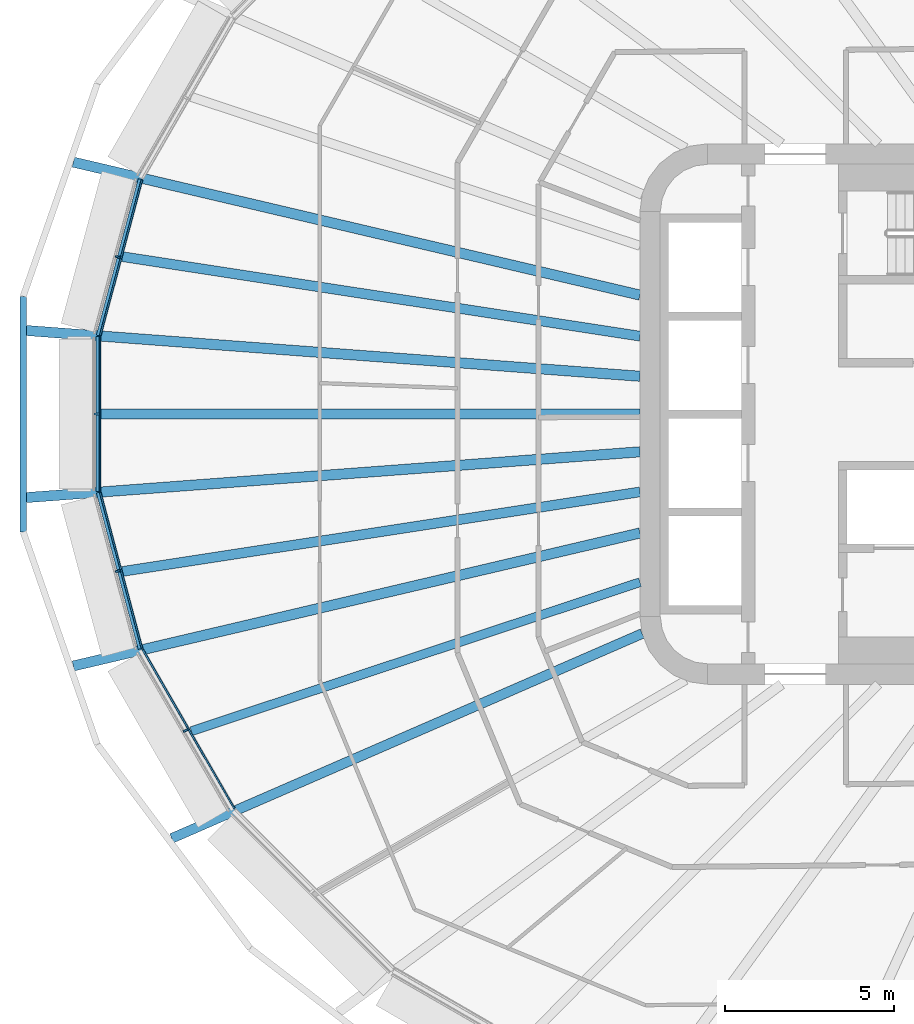
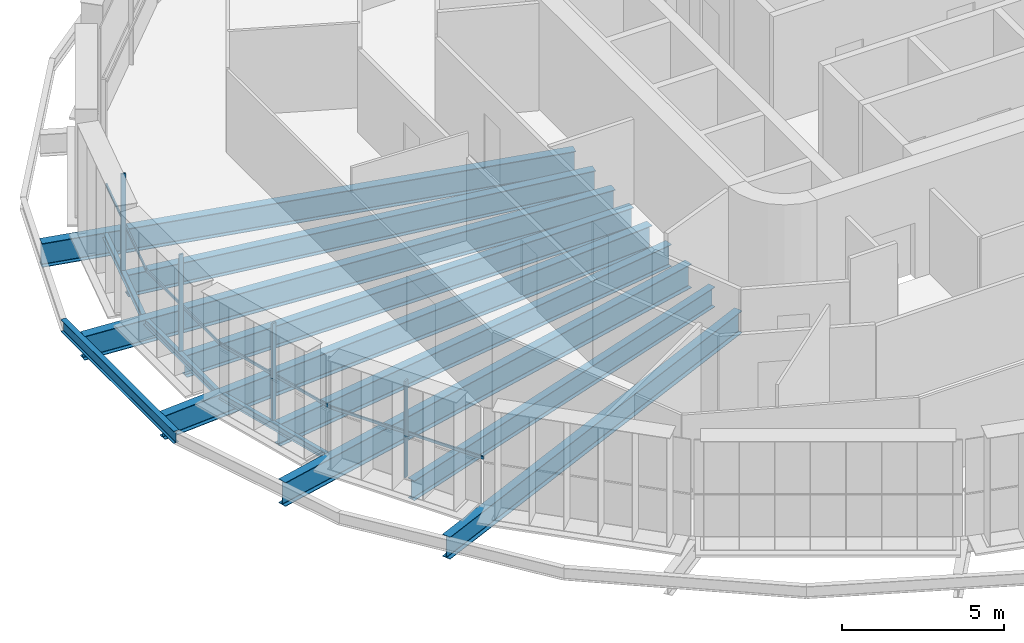
# One storey, part 3 of 24: 13 beams, 8 members, 4 elements without a shape of their own.
"""IFC4 building model written with IfcOpenShell, lengths in metres."""

import ifcopenshell
import ifcopenshell.guid

model = None  # the IFC model being written
_history = None  # IfcOwnerHistory: only IFC2X3 demands one
_inside = {}  # id of a spatial element -> (the spatial element, [elements in it])
_under = {}  # id of a project, library or spatial element -> (it, [spatial elements below it])
_declared = {}  # id of a project -> (the project, [libraries it declares])
_typed = {}  # id of a type object -> (the type object, [elements of that type])
_made_of = {}  # id of a material, layer set ... -> (it, [elements and type objects made of it])


def new_model(schema):
    """Start an empty IFC model of exactly this schema.

    Asked for "IFC4X3", IfcOpenShell would pick the latest addendum, in which some entities
    have other attributes; the version numbers below select the first issue.
    IFC2X3 requires an IfcOwnerHistory on every rooted entity: one is made here for all.
    """
    global model, _history
    if schema == "IFC4X3":
        model = ifcopenshell.file(schema_version=(4, 3, 0, 0))
    else:
        model = ifcopenshell.file(schema=schema)
    _inside.clear()
    _under.clear()
    _declared.clear()
    _typed.clear()
    _made_of.clear()
    _history = None
    if model.schema == "IFC2X3":
        org = make("IfcOrganization", Name="unknown")
        user = make(
            "IfcPersonAndOrganization",
            ThePerson=make("IfcPerson", FamilyName="unknown"),
            TheOrganization=org,
        )
        app = make(
            "IfcApplication",
            ApplicationDeveloper=org,
            Version="unknown",
            ApplicationFullName="unknown",
            ApplicationIdentifier="unknown",
        )
        _history = make(
            "IfcOwnerHistory",
            OwningUser=user,
            OwningApplication=app,
            ChangeAction="ADDED",
            CreationDate=0,
        )
    return model


def make(cls, **values):
    """One entity of the class cls with the attributes given. An attribute that is None is left unset."""
    return model.create_entity(
        cls, **{name: value for name, value in values.items() if value is not None}
    )


def rooted(cls, **values):
    """An entity with a GlobalId (a new one), such as an element, a storey or a relation."""
    return make(cls, GlobalId=ifcopenshell.guid.new(), OwnerHistory=_history, **values)


def si_unit(unit_type, name, prefix=None):
    """IfcSIUnit, for example si_unit("LENGTHUNIT", "METRE", prefix="MILLI")."""
    return make("IfcSIUnit", UnitType=unit_type, Prefix=prefix, Name=name)


def assignment(units):
    """IfcUnitAssignment: the units of a project."""
    return None if units is None else make("IfcUnitAssignment", Units=units)


def point(xyz):
    """IfcCartesianPoint."""
    return None if xyz is None else make("IfcCartesianPoint", Coordinates=xyz)


def direction(xyz):
    """IfcDirection."""
    return None if xyz is None else make("IfcDirection", DirectionRatios=xyz)


def frame(location, z_axis=None, x_axis=None):
    """IfcAxis2Placement3D, a coordinate frame: its origin and axes. An axis left out is left unset."""
    return make(
        "IfcAxis2Placement3D",
        Location=point(location),
        Axis=direction(z_axis),
        RefDirection=direction(x_axis),
    )


def frame_2d(location, x_axis=None):
    """IfcAxis2Placement2D, a coordinate frame in the plane: its origin and x axis."""
    return make(
        "IfcAxis2Placement2D", Location=point(location), RefDirection=direction(x_axis)
    )


def origin():
    """The frame at (0, 0, 0) with its axes left unset."""
    return frame((0.0, 0.0, 0.0))


def origin_2d():
    """The frame at (0, 0) in the plane with its x axis left unset."""
    return frame_2d((0.0, 0.0))


def place(relative_to, where):
    """IfcLocalPlacement: puts the frame where relative to a parent placement (None: the world)."""
    return make(
        "IfcLocalPlacement", PlacementRelTo=relative_to, RelativePlacement=where
    )


def context(
    kind, dimensions, precision=None, world=None, true_north=None, identifier=None
):
    """IfcGeometricRepresentationContext, for example the 3D "Model" context."""
    return make(
        "IfcGeometricRepresentationContext",
        ContextIdentifier=identifier,
        ContextType=kind,
        CoordinateSpaceDimension=dimensions,
        Precision=precision,
        WorldCoordinateSystem=world,
        TrueNorth=true_north,
    )


def subcontext(parent, identifier, kind, view, scale=None):
    """IfcGeometricRepresentationSubContext, for example "Body" below "Model"."""
    return make(
        "IfcGeometricRepresentationSubContext",
        ContextIdentifier=identifier,
        ContextType=kind,
        ParentContext=parent,
        TargetScale=scale,
        TargetView=view,
    )


def project(units=None, contexts=None):
    """IfcProject with its units and contexts."""
    return rooted(
        "IfcProject",
        Name="project",
        RepresentationContexts=contexts,
        UnitsInContext=assignment(units),
    )


def spatial(cls, under=None, at=None, **own):
    """A site, building, storey or space (cls), placed at a placement, below another one or the project."""
    s = rooted(cls, ObjectPlacement=at, **own)
    if under is not None:
        _under.setdefault(under.id(), (under, []))[1].append(s)
    return s


def profile(cls, at=None, kind="AREA", **sizes):
    """A parametric profile (cls). Its sizes go by their IFC names, for example OverallWidth=200.0."""
    return make(cls, ProfileType=kind, Position=at, **sizes)


def rectangle(**sizes):
    """IfcRectangleProfileDef."""
    return profile("IfcRectangleProfileDef", **sizes)


def i_section(**sizes):
    """IfcIShapeProfileDef."""
    return profile("IfcIShapeProfileDef", **sizes)


def extrude(swept, where, along, depth):
    """IfcExtrudedAreaSolid: the profile swept, set in the frame where, extruded along a direction by depth."""
    return make(
        "IfcExtrudedAreaSolid",
        SweptArea=swept,
        Position=where,
        ExtrudedDirection=direction(along),
        Depth=depth,
    )


def shape(context_of_items, identifier, shape_type, items):
    """IfcShapeRepresentation: the items that make up one representation, for example the "Body"."""
    return make(
        "IfcShapeRepresentation",
        ContextOfItems=context_of_items,
        RepresentationIdentifier=identifier,
        RepresentationType=shape_type,
        Items=items,
    )


def material(Name=None, Category=None):
    """IfcMaterial."""
    return make("IfcMaterial", Name=Name, Category=Category)


def layer(
    of_material, thickness, ventilated=None, Name=None, Category=None, Priority=None
):
    """IfcMaterialLayer: one layer of a wall or slab, of a material (None: an air gap)."""
    return make(
        "IfcMaterialLayer",
        Material=of_material,
        LayerThickness=thickness,
        IsVentilated=ventilated,
        Name=Name,
        Category=Category,
        Priority=Priority,
    )


def layer_set(layers, Name=None):
    """IfcMaterialLayerSet."""
    return make("IfcMaterialLayerSet", MaterialLayers=layers, LayerSetName=Name)


def material_profile(
    of_material, cross_section, Name=None, Category=None, Priority=None
):
    """IfcMaterialProfile: a cross section and its material."""
    return make(
        "IfcMaterialProfile",
        Name=Name,
        Material=of_material,
        Profile=cross_section,
        Priority=Priority,
        Category=Category,
    )


def profile_set(profiles, Name=None, composite=None):
    """IfcMaterialProfileSet."""
    return make(
        "IfcMaterialProfileSet",
        Name=Name,
        MaterialProfiles=profiles,
        CompositeProfile=composite,
    )


def made_of(thing, what):
    """Note that an element or type object is made of a material, layer set ...; save() writes the relation."""
    if what is not None:
        _made_of.setdefault(what.id(), (what, []))[1].append(thing)
    return thing


def type_object(cls, material=None, **own):
    """A type object (cls), such as IfcWallType, which elements share."""
    return made_of(rooted(cls, **own), material)


def element(
    cls,
    number,
    at=None,
    inside=None,
    cuts=None,
    type_object=None,
    material=None,
    context=None,
    identifier="Body",
    shape_type=None,
    held_by="IfcProductDefinitionShape",
    body=None,
    shapes=None,
    **own,
):
    """One element of the class cls, such as IfcWall. Its Tag is "e" and its number.

    at: its placement. inside: the storey or other place that contains it. cuts: it is an
    opening in that element (IfcRelVoidsElement). A single representation is given by context,
    identifier, shape_type and body (its items); several are given by shapes. held_by: the class
    of the entity that holds the representations. save() writes the other relations.
    """
    e = rooted(cls, Tag="e%d" % number, ObjectPlacement=at, **own)
    if body is not None:
        shapes = [shape(context, identifier, shape_type, body)]
    if shapes is not None:
        e.Representation = make(held_by, Representations=shapes)
    if inside is not None:
        _inside.setdefault(inside.id(), (inside, []))[1].append(e)
    if cuts is not None:
        rooted(
            "IfcRelVoidsElement", RelatingBuildingElement=cuts, RelatedOpeningElement=e
        )
    if type_object is not None:
        _typed.setdefault(type_object.id(), (type_object, []))[1].append(e)
    return made_of(e, material)


def aggregate(whole, parts):
    """IfcRelAggregates: a whole, such as a stair, and the parts it consists of."""
    return rooted("IfcRelAggregates", RelatingObject=whole, RelatedObjects=parts)


def save(model, path):
    """Write the relations noted so far, then the file.

    IfcRelAggregates (storeys below a building ...), IfcRelContainedInSpatialStructure (elements
    in a storey), IfcRelDefinesByType, IfcRelAssociatesMaterial and IfcRelDeclares: one each for
    every whole, place, type object, material and project.
    """
    for whole, parts in _under.values():
        aggregate(whole, parts)
    for where, things in _inside.values():
        rooted(
            "IfcRelContainedInSpatialStructure",
            RelatedElements=things,
            RelatingStructure=where,
        )
    for kind, things in _typed.values():
        rooted("IfcRelDefinesByType", RelatedObjects=things, RelatingType=kind)
    for what, things in _made_of.values():
        rooted("IfcRelAssociatesMaterial", RelatedObjects=things, RelatingMaterial=what)
    for by, libraries in _declared.values():
        rooted("IfcRelDeclares", RelatingContext=by, RelatedDefinitions=libraries)
    model.write(path)


model = new_model("IFC4")

# Units and contexts
model_context = context("Model", 3, precision=1e-05, world=origin(), true_north=direction((0.0, 1.0)))
body_context = subcontext(model_context, "Body", "Model", "MODEL_VIEW")
ifc_project = project(units=[si_unit("LENGTHUNIT", "METRE"), si_unit("AREAUNIT", "SQUARE_METRE"), si_unit("VOLUMEUNIT", "CUBIC_METRE"), si_unit("PLANEANGLEUNIT", "RADIAN"), si_unit("MASSUNIT", "GRAM", prefix="KILO")], contexts=[model_context])

# Site, building, storey
site_placement = place(None, origin())
site = spatial("IfcSite", under=ifc_project, at=site_placement, CompositionType="ELEMENT")
building_placement = place(site_placement, origin())
building = spatial("IfcBuilding", under=site, at=building_placement, Name="Sahrelin Media Tower", CompositionType="ELEMENT")
storey_placement = place(building_placement, frame((0.0, 0.0, 71.39990234375)))
storey = spatial("IfcBuildingStorey", under=building, at=storey_placement, Name="L12", CompositionType="ELEMENT", Elevation=71.39990234375)

# Beams
ifc_material_1 = material(Name="Steel S355", Category="steel")
ifc_material_profile_1 = material_profile(ifc_material_1, i_section(OverallWidth=0.14599609375, OverallDepth=0.25146484375, WebThickness=0.006103515625, FlangeThickness=0.008544921875, FilletRadius=0.007568359375, at=origin_2d()), Name="UB 254x146x31")
ifc_profile_set_1 = profile_set([ifc_material_profile_1], Name="Steel S355")
beam_type_1 = type_object("IfcBeamType", Name="Edge beam EB1", PredefinedType="BEAM", material=ifc_profile_set_1)
beam_1_placement = place(storey_placement, frame((-29.781982421875, -6.9501953125, -0.275634765625), z_axis=(-0.258831956823, 0.965922366511, 0.0), x_axis=(-0.965922366511, -0.258831956823, 0.0)))
element("IfcBeam", 1, at=beam_1_placement, inside=storey, type_object=beam_type_1, Name="Edge beam L12-11", PredefinedType="BEAM", context=body_context, shape_type="SweptSolid", body=[
    extrude(i_section(OverallWidth=0.14599609375, OverallDepth=0.25146484375, WebThickness=0.006103515625, FlangeThickness=0.008544921875, FilletRadius=0.007568359375, at=origin_2d()), origin(), (0.0, 0.0, 1.0), 4.79443359375),
])
beam_2_placement = place(storey_placement, frame((-31.026611328125, -2.290283203125, -0.275634765625), z_axis=(0.0, 1.0, 0.0), x_axis=(-1.0, 0.0, 0.0)))
element("IfcBeam", 2, at=beam_2_placement, inside=storey, type_object=beam_type_1, Name="Edge beam L12-12", PredefinedType="BEAM", context=body_context, shape_type="SweptSolid", body=[
    extrude(i_section(OverallWidth=0.14599609375, OverallDepth=0.25146484375, WebThickness=0.006103515625, FlangeThickness=0.008544921875, FilletRadius=0.007568359375, at=origin_2d()), origin(), (0.0, 0.0, 1.0), 4.58056640625),
])
beam_3_placement = place(storey_placement, frame((-31.02294921875, 2.319091796875, -0.275634765625), z_axis=(0.258831956823, 0.965922366511, 0.0), x_axis=(-0.965922366511, 0.258831956823, 0.0)))
element("IfcBeam", 3, at=beam_3_placement, inside=storey, type_object=beam_type_1, Name="Edge beam L12-13", PredefinedType="BEAM", context=body_context, shape_type="SweptSolid", body=[
    extrude(i_section(OverallWidth=0.14599609375, OverallDepth=0.25146484375, WebThickness=0.006103515625, FlangeThickness=0.008544921875, FilletRadius=0.007568359375, at=origin_2d()), origin(), (0.0, 0.0, 1.0), 4.79443359375),
])

# Curtain wall, member
ifc_material_2 = material(Name="Champagne anodised aluminium 6063-T6", Category="aluminium")
ifc_layer = layer(ifc_material_2, 0.14990234375)
ifc_layer_set = layer_set([ifc_layer], Name="Tower ribbon curtain wall")
curtain_wall_type = type_object("IfcCurtainWallType", Name="Tower ribbon curtain wall", PredefinedType="NOTDEFINED", material=ifc_layer_set)
curtain_wall_1_placement = place(storey_placement, frame((-30.54736328125, 4.67333984375, 0.0), z_axis=(0.0, 0.0, 1.0), x_axis=(1.0, 0.0, 0.0)))
curtain_wall_1 = element("IfcCurtainWall", 4, at=curtain_wall_1_placement, inside=storey, type_object=curtain_wall_type, Name="L12:CW:L12-11", PredefinedType="NOTDEFINED")
ifc_material_profile_2 = material_profile(ifc_material_2, rectangle(XDim=0.06005859375, YDim=0.14990234375, at=origin_2d()), Name="Mullion 60x150")
ifc_profile_set_2 = profile_set([ifc_material_profile_2], Name="Champagne anodised aluminium 6063-T6")
member_type_1 = type_object("IfcMemberType", Name="Mullion 60x150 CW1", PredefinedType="MULLION", material=ifc_profile_set_2)
member_1_placement = place(storey_placement, frame((-30.45556640625, 4.648681640625, 0.0), z_axis=(0.0, 0.0, 1.0), x_axis=(-0.258807244073, -0.965928988288, 0.0)))
member_1 = element("IfcMember", 5, at=member_1_placement, type_object=member_type_1, Name="L12:CWM:L12-11", PredefinedType="MULLION", context=body_context, shape_type="SweptSolid", body=[
    extrude(rectangle(XDim=0.06005859375, YDim=0.14990234375, at=origin_2d()), origin(), (0.0, 0.0, 1.0), 3.648681640625),
])

curtain_wall_2_placement = place(storey_placement, frame((-31.1767578125, 0.0, 0.0), z_axis=(0.0, 0.0, 1.0), x_axis=(1.0, 0.0, 0.0)))
curtain_wall_2 = element("IfcCurtainWall", 6, at=curtain_wall_2_placement, inside=storey, type_object=curtain_wall_type, Name="L12:CW:L12-12", PredefinedType="NOTDEFINED")
member_2_placement = place(storey_placement, frame((-31.081787109375, 0.0, 0.0), z_axis=(0.0, 0.0, 1.0), x_axis=(0.0, -1.0, 0.0)))
member_2 = element("IfcMember", 7, at=member_2_placement, type_object=member_type_1, Name="L12:CWM:L12-12", PredefinedType="MULLION", context=body_context, shape_type="SweptSolid", body=[
    extrude(rectangle(XDim=0.06005859375, YDim=0.14990234375, at=origin_2d()), origin(), (0.0, 0.0, 1.0), 3.648681640625),
])

curtain_wall_3_placement = place(storey_placement, frame((-30.54736328125, -4.67333984375, 0.0), z_axis=(0.0, 0.0, 1.0), x_axis=(1.0, 0.0, 0.0)))
curtain_wall_3 = element("IfcCurtainWall", 8, at=curtain_wall_3_placement, inside=storey, type_object=curtain_wall_type, Name="L12:CW:L12-13", PredefinedType="NOTDEFINED")
member_3_placement = place(storey_placement, frame((-30.45556640625, -4.648681640625, 0.0), z_axis=(0.0, 0.0, 1.0), x_axis=(0.258807244073, -0.965928988288, 0.0)))
member_3 = element("IfcMember", 9, at=member_3_placement, type_object=member_type_1, Name="L12:CWM:L12-13", PredefinedType="MULLION", context=body_context, shape_type="SweptSolid", body=[
    extrude(rectangle(XDim=0.06005859375, YDim=0.14990234375, at=origin_2d()), origin(), (0.0, 0.0, 1.0), 3.648681640625),
])

curtain_wall_4_placement = place(storey_placement, frame((-28.5341796875, -9.4189453125, 0.0), z_axis=(0.0, 0.0, 1.0), x_axis=(1.0, 0.0, 0.0)))
curtain_wall_4 = element("IfcCurtainWall", 10, at=curtain_wall_4_placement, inside=storey, type_object=curtain_wall_type, Name="L12:CW:L12-14", PredefinedType="NOTDEFINED")
member_4_placement = place(storey_placement, frame((-28.451904296875, -9.37158203125, 0.0), z_axis=(0.0, 0.0, 1.0), x_axis=(0.5, -0.866025403784, 0.0)))
member_4 = element("IfcMember", 11, at=member_4_placement, type_object=member_type_1, Name="L12:CWM:L12-14", PredefinedType="MULLION", context=body_context, shape_type="SweptSolid", body=[
    extrude(rectangle(XDim=0.06005859375, YDim=0.14990234375, at=origin_2d()), origin(), (0.0, 0.0, 1.0), 3.648681640625),
])

# Beams
ifc_material_profile_3 = material_profile(ifc_material_1, i_section(OverallWidth=0.291748046875, OverallDepth=0.8349609375, WebThickness=0.013916015625, FlangeThickness=0.018798828125, FilletRadius=0.017822265625, at=origin_2d()), Name="UB 838x292x176")
ifc_profile_set_3 = profile_set([ifc_material_profile_3], Name="Steel S355")
beam_type_2 = type_object("IfcBeamType", Name="Radial primary beam PB10", PredefinedType="BEAM", material=ifc_profile_set_3)
beam_4_placement = place(storey_placement, frame((-14.934326171875, -6.49951171875, -0.5673828125), z_axis=(-0.916931758114, -0.399044046394, 0.0), x_axis=(0.399044046394, -0.916931758114, 0.0)))
element("IfcBeam", 12, at=beam_4_placement, inside=storey, type_object=beam_type_2, Name="Radial beam L12-15", PredefinedType="BEAM", context=body_context, shape_type="SweptSolid", body=[
    extrude(i_section(OverallWidth=0.291748046875, OverallDepth=0.8349609375, WebThickness=0.013916015625, FlangeThickness=0.018798828125, FilletRadius=0.017822265625, at=origin_2d()), origin(), (0.0, 0.0, 1.0), 15.189453125),
])
ifc_material_profile_4 = material_profile(ifc_material_1, i_section(OverallWidth=0.30322265625, OverallDepth=0.903076171875, WebThickness=0.01513671875, FlangeThickness=0.020263671875, FilletRadius=0.01904296875, at=origin_2d()), Name="UB 914x305x201")
ifc_profile_set_4 = profile_set([ifc_material_profile_4], Name="Steel S355")
beam_type_3 = type_object("IfcBeamType", Name="Radial primary beam PB11", PredefinedType="BEAM", material=ifc_profile_set_4)
beam_5_placement = place(storey_placement, frame((-15.0, 3.520751953125, -0.601318359375), z_axis=(-0.973545976239, 0.228491208034, 0.0), x_axis=(-0.228491208034, -0.973545976239, 0.0)))
element("IfcBeam", 13, at=beam_5_placement, inside=storey, type_object=beam_type_3, Name="Radial beam L12-11", PredefinedType="BEAM", context=body_context, shape_type="SweptSolid", body=[
    extrude(i_section(OverallWidth=0.30322265625, OverallDepth=0.903076171875, WebThickness=0.01513671875, FlangeThickness=0.020263671875, FilletRadius=0.01904296875, at=origin_2d()), origin(), (0.0, 0.0, 1.0), 17.23046875),
])
for number, where, z_axis, x_axis, name in (
    (14, (-15.0, 1.118408203125, -0.601318359375), (-0.997230836843, 0.07436839415, 0.0), (-0.07436839415, -0.997230836843, 0.0), "Radial beam L12-12"),
    (15, (-15.0, -1.118408203125, -0.601318359375), (-0.997230836843, -0.07436839415, 0.0), (0.07436839415, -0.997230836843, 0.0), "Radial beam L12-13"),
):
    element("IfcBeam", number, at=place(storey_placement, frame(where, z_axis=z_axis, x_axis=x_axis)), inside=storey, type_object=beam_type_3, Name=name, PredefinedType="BEAM", context=body_context, shape_type="SweptSolid", body=[
        extrude(i_section(OverallWidth=0.30322265625, OverallDepth=0.903076171875, WebThickness=0.01513671875, FlangeThickness=0.020263671875, FilletRadius=0.01904296875, at=origin_2d()), origin(), (0.0, 0.0, 1.0), 18.21337890625),
    ])
beam_6_placement = place(storey_placement, frame((-15.0, -3.520751953125, -0.601318359375), z_axis=(-0.973545976239, -0.228491208034, 0.0), x_axis=(0.228491208034, -0.973545976239, 0.0)))
element("IfcBeam", 16, at=beam_6_placement, inside=storey, type_object=beam_type_3, Name="Radial beam L12-14", PredefinedType="BEAM", context=body_context, shape_type="SweptSolid", body=[
    extrude(i_section(OverallWidth=0.30322265625, OverallDepth=0.903076171875, WebThickness=0.01513671875, FlangeThickness=0.020263671875, FilletRadius=0.01904296875, at=origin_2d()), origin(), (0.0, 0.0, 1.0), 17.23046875),
])
ifc_material_profile_5 = material_profile(ifc_material_1, i_section(OverallWidth=0.291748046875, OverallDepth=0.8349609375, WebThickness=0.013916015625, FlangeThickness=0.018798828125, FilletRadius=0.017822265625, at=origin_2d()), Name="UB 838x292x176")
ifc_profile_set_5 = profile_set([ifc_material_profile_5], Name="Steel S355")
beam_type_4 = type_object("IfcBeamType", Name="Radial secondary beam SB10", PredefinedType="BEAM", material=ifc_profile_set_5)
beam_7_placement = place(storey_placement, frame((-15.0, 2.30517578125, -0.5673828125), z_axis=(-0.988398085929, 0.151885561299, 0.0), x_axis=(-0.151885561299, -0.988398085929, 0.0)))
element("IfcBeam", 17, at=beam_7_placement, inside=storey, type_object=beam_type_4, Name="Secondary beam L12-08", PredefinedType="BEAM", context=body_context, shape_type="SweptSolid", body=[
    extrude(i_section(OverallWidth=0.291748046875, OverallDepth=0.8349609375, WebThickness=0.013916015625, FlangeThickness=0.018798828125, FilletRadius=0.017822265625, at=origin_2d()), origin(), (0.0, 0.0, 1.0), 15.500244140625),
])
beam_8_placement = place(storey_placement, frame((-15.0, 0.0, -0.5673828125), z_axis=(-1.0, 0.0, 0.0), x_axis=(0.0, -1.0, 0.0)))
element("IfcBeam", 18, at=beam_8_placement, inside=storey, type_object=beam_type_4, Name="Secondary beam L12-09", PredefinedType="BEAM", context=body_context, shape_type="SweptSolid", body=[
    extrude(i_section(OverallWidth=0.291748046875, OverallDepth=0.8349609375, WebThickness=0.013916015625, FlangeThickness=0.018798828125, FilletRadius=0.017822265625, at=origin_2d()), origin(), (0.0, 0.0, 1.0), 15.95361328125),
])
beam_9_placement = place(storey_placement, frame((-15.0, -2.30517578125, -0.5673828125), z_axis=(-0.988398085929, -0.151885561299, 0.0), x_axis=(0.151885561299, -0.988398085929, 0.0)))
element("IfcBeam", 19, at=beam_9_placement, inside=storey, type_object=beam_type_4, Name="Secondary beam L12-10", PredefinedType="BEAM", context=body_context, shape_type="SweptSolid", body=[
    extrude(i_section(OverallWidth=0.291748046875, OverallDepth=0.8349609375, WebThickness=0.013916015625, FlangeThickness=0.018798828125, FilletRadius=0.017822265625, at=origin_2d()), origin(), (0.0, 0.0, 1.0), 15.500244140625),
])
ifc_material_profile_6 = material_profile(ifc_material_1, i_section(OverallWidth=0.26513671875, OverallDepth=0.75390625, WebThickness=0.0126953125, FlangeThickness=0.017578125, FilletRadius=0.0166015625, at=origin_2d()), Name="UB 762x267x147")
ifc_profile_set_6 = profile_set([ifc_material_profile_6], Name="Steel S355")
beam_type_5 = type_object("IfcBeamType", Name="Radial secondary beam SB9", PredefinedType="BEAM", material=ifc_profile_set_6)
beam_10_placement = place(storey_placement, frame((-15.0, -4.979248046875, -0.52685546875), z_axis=(-0.949075049876, -0.315050074912, 0.0), x_axis=(0.315050074912, -0.949075049876, 0.0)))
element("IfcBeam", 20, at=beam_10_placement, inside=storey, type_object=beam_type_5, Name="Secondary beam L12-11", PredefinedType="BEAM", context=body_context, shape_type="SweptSolid", body=[
    extrude(i_section(OverallWidth=0.26513671875, OverallDepth=0.75390625, WebThickness=0.0126953125, FlangeThickness=0.017578125, FilletRadius=0.0166015625, at=origin_2d()), origin(), (0.0, 0.0, 1.0), 13.995849609375),
])
ifc_material_profile_7 = material_profile(ifc_material_1, i_section(OverallWidth=0.1904296875, OverallDepth=0.45703125, WebThickness=0.009033203125, FlangeThickness=0.014404296875, FilletRadius=0.01025390625, at=origin_2d()), Name="UB 457x191x74")
ifc_profile_set_7 = profile_set([ifc_material_profile_7], Name="Steel S355")
beam_type_6 = type_object("IfcBeamType", Name="Tie chord TC5", PredefinedType="BEAM", material=ifc_profile_set_7)
beam_11_placement = place(storey_placement, frame((-33.258056640625, 3.486083984375, -0.37841796875), z_axis=(0.0, -1.0, 0.0), x_axis=(1.0, 0.0, 0.0)))
element("IfcBeam", 21, at=beam_11_placement, inside=storey, type_object=beam_type_6, Name="Tie chord L12-12", PredefinedType="BEAM", context=body_context, shape_type="SweptSolid", body=[
    extrude(i_section(OverallWidth=0.1904296875, OverallDepth=0.45703125, WebThickness=0.009033203125, FlangeThickness=0.014404296875, FilletRadius=0.01025390625, at=origin_2d()), origin(), (0.0, 0.0, 1.0), 6.97216796875),
])

# Member
ifc_material_profile_8 = material_profile(ifc_material_2, rectangle(XDim=0.050048828125, YDim=0.10009765625, at=origin_2d()), Name="Transom 50x100")
ifc_profile_set_8 = profile_set([ifc_material_profile_8], Name="Champagne anodised aluminium 6063-T6")
member_type_2 = type_object("IfcMemberType", Name="Transom 50x100 CW1", PredefinedType="USERDEFINED", material=ifc_profile_set_8)
member_5_placement = place(storey_placement, frame((-29.74267578125, 6.92333984375, 1.60009765625), z_axis=(-0.258795012395, -0.965932265513, 0.0), x_axis=(0.965932265513, -0.258795012395, 0.0)))
member_5 = element("IfcMember", 22, at=member_5_placement, type_object=member_type_2, Name="L12:CWT:L12-11", ObjectType="TRANSOM", PredefinedType="USERDEFINED", context=body_context, shape_type="SweptSolid", body=[
    extrude(rectangle(XDim=0.050048828125, YDim=0.10009765625, at=origin_2d()), origin(), (0.0, 0.0, 1.0), 4.76318359375),
])

aggregate(curtain_wall_1, [member_1, member_5])

member_6_placement = place(storey_placement, frame((-30.981689453125, 2.274658203125, 1.60009765625), z_axis=(0.0, -1.0, 0.0), x_axis=(1.0, 0.0, 0.0)))
member_6 = element("IfcMember", 23, at=member_6_placement, type_object=member_type_2, Name="L12:CWT:L12-12", ObjectType="TRANSOM", PredefinedType="USERDEFINED", context=body_context, shape_type="SweptSolid", body=[
    extrude(rectangle(XDim=0.050048828125, YDim=0.10009765625, at=origin_2d()), origin(), (0.0, 0.0, 1.0), 4.54931640625),
])

aggregate(curtain_wall_2, [member_2, member_6])

member_7_placement = place(storey_placement, frame((-30.975341796875, -2.322509765625, 1.60009765625), z_axis=(0.258795012395, -0.965932265513, 0.0), x_axis=(0.965932265513, 0.258795012395, 0.0)))
member_7 = element("IfcMember", 24, at=member_7_placement, type_object=member_type_2, Name="L12:CWT:L12-13", ObjectType="TRANSOM", PredefinedType="USERDEFINED", context=body_context, shape_type="SweptSolid", body=[
    extrude(rectangle(XDim=0.050048828125, YDim=0.10009765625, at=origin_2d()), origin(), (0.0, 0.0, 1.0), 4.76318359375),
])

aggregate(curtain_wall_3, [member_3, member_7])

member_8_placement = place(storey_placement, frame((-29.72412109375, -6.968017578125, 1.60009765625), z_axis=(0.499989448911, -0.866031495373, 0.0), x_axis=(0.866031495373, 0.499989448911, 0.0)))
member_8 = element("IfcMember", 25, at=member_8_placement, type_object=member_type_2, Name="L12:CWT:L12-14", ObjectType="TRANSOM", PredefinedType="USERDEFINED", context=body_context, shape_type="SweptSolid", body=[
    extrude(rectangle(XDim=0.050048828125, YDim=0.10009765625, at=origin_2d()), origin(), (0.0, 0.0, 1.0), 5.43505859375),
])

aggregate(curtain_wall_4, [member_4, member_8])

save(model, "model.ifc")
